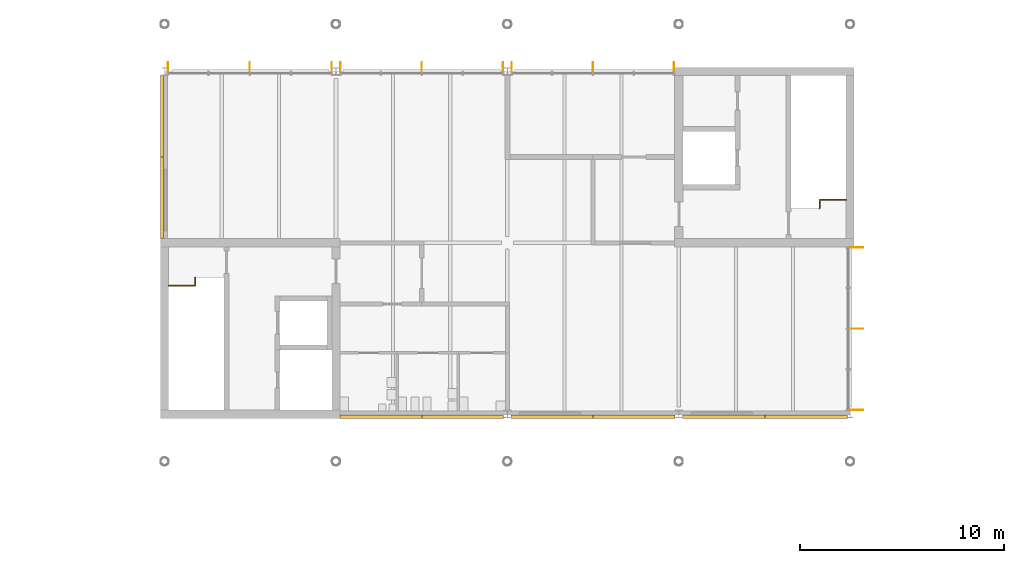
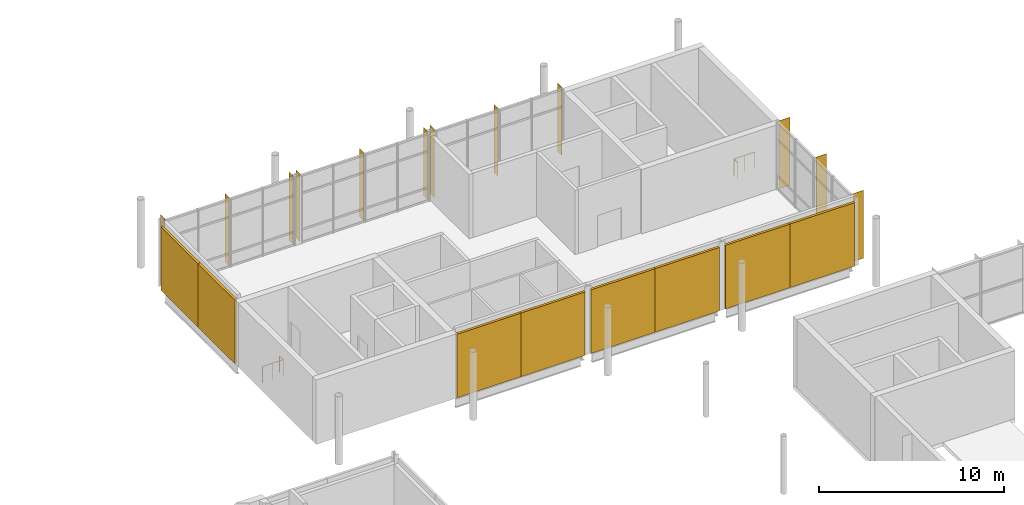
# One storey, part 86 of 89: 20 shading devices, 2 railings.
"""IFC4 building model written with IfcOpenShell, lengths in metres."""

from ifc_helpers import new_model, si_unit, direction, frame, origin, origin_2d, place, context, subcontext, project, spatial, rectangle, circle, extrude, material, layer, layer_set, type_object, element, save


model = new_model("IFC4")

# Units and contexts
model_context = context("Model", 3, precision=1e-05, world=origin(), true_north=direction((0.0, 1.0)))
body_context = subcontext(model_context, "Body", "Model", "MODEL_VIEW")
ifc_project = project(units=[si_unit("LENGTHUNIT", "METRE"), si_unit("AREAUNIT", "SQUARE_METRE"), si_unit("VOLUMEUNIT", "CUBIC_METRE"), si_unit("PLANEANGLEUNIT", "RADIAN"), si_unit("MASSUNIT", "GRAM", prefix="KILO")], contexts=[model_context])

# Site, building, storey
site_placement = place(None, origin())
site = spatial("IfcSite", under=ifc_project, at=site_placement, CompositionType="ELEMENT")
building_placement = place(site_placement, origin())
building = spatial("IfcBuilding", under=site, at=building_placement, Name="Hlaing Beacon Police Headquarters", CompositionType="ELEMENT")
storey_placement = place(building_placement, frame((0.0, 0.0, 9.89990234375)))
storey = spatial("IfcBuildingStorey", under=building, at=storey_placement, Name="L02", CompositionType="ELEMENT", Elevation=9.89990234375)

# Shading devices
ifc_material_1 = material(Name="Aluminium 6063-T5 anodised", Category="aluminium")
ifc_layer_1 = layer(ifc_material_1, 0.011962890625)
ifc_layer_set_1 = layer_set([ifc_layer_1], Name="Aluminium 6063-T5 anodised")
shading_device_type_1 = type_object("IfcShadingDeviceType", Name="Aluminium fin 12x450", PredefinedType="JALOUSIE", material=ifc_layer_set_1)
for number, where, z_axis, x_axis, name in (
    (1, (58.570068359375, 92.625, 0.0), (0.0, 0.0, 1.0), (-1.0, 0.0, 0.0), "Fin L02 N034.0"),
    (2, (54.5927734375, 92.625, 0.0), (0.0, 0.0, 1.0), (-1.0, 0.0, 0.0), "Fin L02 N034.2"),
    (3, (50.615478515625, 92.625, 0.0), (0.0, 0.0, 1.0), (-1.0, 0.0, 0.0), "Fin L02 N034.4"),
    (4, (50.1845703125, 92.625, 0.0), (0.0, 0.0, 1.0), (-1.0, 0.0, 0.0), "Fin L02 N035.0"),
    (5, (46.199951171875, 92.625, 0.0), (0.0, 0.0, 1.0), (-1.0, 0.0, 0.0), "Fin L02 N035.2"),
    (6, (42.21533203125, 92.625, 0.0), (0.0, 0.0, 1.0), (-1.0, 0.0, 0.0), "Fin L02 N035.4"),
    (7, (41.78466796875, 92.625, 0.0), (0.0, 0.0, 1.0), (-1.0, 0.0, 0.0), "Fin L02 N036.0"),
    (8, (37.771484375, 92.625, 0.0), (0.0, 0.0, 1.0), (-1.0, 0.0, 0.0), "Fin L02 N036.2"),
    (9, (33.75830078125, 92.625, 0.0), (0.0, 0.0, 1.0), (-1.0, 0.0, 0.0), "Fin L02 N036.4"),
):
    element("IfcShadingDevice", number, at=place(storey_placement, frame(where, z_axis=z_axis, x_axis=x_axis)), inside=storey, type_object=shading_device_type_1, Name=name, PredefinedType="JALOUSIE", context=body_context, shape_type="SweptSolid", body=[
        extrude(rectangle(XDim=0.011962890625, YDim=0.449951171875, at=origin_2d()), origin(), (0.0, 0.0, 1.0), 4.5),
    ])
ifc_material_2 = material(Name="Aluminium 6063-T5 anodised", Category="aluminium")
ifc_layer_2 = layer(ifc_material_2, 0.01611328125)
ifc_layer_set_2 = layer_set([ifc_layer_2], Name="Aluminium 6063-T5 anodised")
shading_device_type_2 = type_object("IfcShadingDeviceType", Name="Aluminium fin 16x650", PredefinedType="JALOUSIE", material=ifc_layer_set_2)
for number, where, z_axis, x_axis, name in (
    (10, (67.52490234375, 75.8115234375, 0.0), (0.0, 0.0, 1.0), (0.0, 1.0, 0.0), "Fin L02 E037.0"),
    (11, (67.52490234375, 79.790771484375, 0.0), (0.0, 0.0, 1.0), (0.0, 1.0, 0.0), "Fin L02 E037.2"),
    (12, (67.52490234375, 83.77001953125, 0.0), (0.0, 0.0, 1.0), (0.0, 1.0, 0.0), "Fin L02 E037.4"),
):
    element("IfcShadingDevice", number, at=place(storey_placement, frame(where, z_axis=z_axis, x_axis=x_axis)), inside=storey, type_object=shading_device_type_2, Name=name, PredefinedType="JALOUSIE", context=body_context, shape_type="SweptSolid", body=[
        extrude(rectangle(XDim=0.01611328125, YDim=0.64990234375, at=origin_2d()), origin(), (0.0, 0.0, 1.0), 4.5),
    ])
ifc_material_3 = material(Name="Perforated aluminium", Category="aluminium")
ifc_layer_3 = layer(ifc_material_3, 0.14990234375)
ifc_layer_set_3 = layer_set([ifc_layer_3], Name="Perforated aluminium")
shading_device_type_3 = type_object("IfcShadingDeviceType", Name="Perforated screen panel 150", PredefinedType="JALOUSIE", material=ifc_layer_set_3)
for number, where, z_axis, x_axis, name in (
    (13, (33.47509765625, 90.2138671875, 0.0), (0.0, 0.0, 1.0), (0.0, -1.0, 0.0), "Screen L02 W021"),
    (14, (33.47509765625, 86.20458984375, 0.0), (0.0, 0.0, 1.0), (0.0, -1.0, 0.0), "Screen L02 W022"),
):
    element("IfcShadingDevice", number, at=place(storey_placement, frame(where, z_axis=z_axis, x_axis=x_axis)), inside=storey, type_object=shading_device_type_3, Name=name, PredefinedType="JALOUSIE", context=body_context, shape_type="SweptSolid", body=[
        extrude(rectangle(XDim=4.00927734375, YDim=0.14990234375, at=origin_2d()), origin(), (0.0, 0.0, 1.0), 4.199951171875),
    ])
for number, where, z_axis, x_axis, name in (
    (15, (44.20361328125, 75.47509765625, 0.0), (0.0, 0.0, 1.0), (1.0, 0.0, 0.0), "Screen L02 S023"),
    (16, (48.2109375, 75.47509765625, 0.0), (0.0, 0.0, 1.0), (1.0, 0.0, 0.0), "Screen L02 S024"),
):
    element("IfcShadingDevice", number, at=place(storey_placement, frame(where, z_axis=z_axis, x_axis=x_axis)), inside=storey, type_object=shading_device_type_3, Name=name, PredefinedType="JALOUSIE", context=body_context, shape_type="SweptSolid", body=[
        extrude(rectangle(XDim=4.00732421875, YDim=0.14990234375, at=origin_2d()), origin(), (0.0, 0.0, 1.0), 4.199951171875),
    ])
for number, where, z_axis, x_axis, name in (
    (17, (52.5927734375, 75.47509765625, 0.0), (0.0, 0.0, 1.0), (1.0, 0.0, 0.0), "Screen L02 S025"),
    (18, (56.607421875, 75.47509765625, 0.0), (0.0, 0.0, 1.0), (1.0, 0.0, 0.0), "Screen L02 S026"),
):
    element("IfcShadingDevice", number, at=place(storey_placement, frame(where, z_axis=z_axis, x_axis=x_axis)), inside=storey, type_object=shading_device_type_3, Name=name, PredefinedType="JALOUSIE", context=body_context, shape_type="SweptSolid", body=[
        extrude(rectangle(XDim=4.0146484375, YDim=0.14990234375, at=origin_2d()), origin(), (0.0, 0.0, 1.0), 4.199951171875),
    ])
for number, where, z_axis, x_axis, name in (
    (19, (61.007080078125, 75.47509765625, 0.0), (0.0, 0.0, 1.0), (1.0, 0.0, 0.0), "Screen L02 S027"),
    (20, (65.050048828125, 75.47509765625, 0.0), (0.0, 0.0, 1.0), (1.0, 0.0, 0.0), "Screen L02 S028"),
):
    element("IfcShadingDevice", number, at=place(storey_placement, frame(where, z_axis=z_axis, x_axis=x_axis)), inside=storey, type_object=shading_device_type_3, Name=name, PredefinedType="JALOUSIE", context=body_context, shape_type="SweptSolid", body=[
        extrude(rectangle(XDim=4.043212890625, YDim=0.14990234375, at=origin_2d()), origin(), (0.0, 0.0, 1.0), 4.199951171875),
    ])

# Railings
ifc_material_4 = material(Name="Stainless steel", Category="steel")
railing_type = type_object("IfcRailingType", Name="Stair guard 1100", PredefinedType="GUARDRAIL", material=ifc_material_4)
railing_1_placement = place(storey_placement, frame((33.800048828125, 81.89990234375, 0.0)))
element("IfcRailing", 21, at=railing_1_placement, inside=storey, type_object=railing_type, Name="Guard ST-E", PredefinedType="GUARDRAIL", context=body_context, shape_type="SweptSolid", body=[
    extrude(circle(Radius=0.02392578125, at=origin_2d()), frame((0.0, 0.0, 1.076171875), z_axis=(1.0, 0.0, 0.0), x_axis=(0.0, 1.0, 0.0)), (0.0, 0.0, 1.0), 1.300048828125),
    extrude(circle(Radius=0.02392578125, at=origin_2d()), frame((1.300048828125, 0.0, 1.076171875), z_axis=(0.0, 1.0, 0.0), x_axis=(-1.0, 0.0, 0.0)), (0.0, 0.0, 1.0), 0.400146484375),
    extrude(circle(Radius=0.02099609375, at=origin_2d()), origin(), (0.0, 0.0, 1.0), 1.052001953125),
    extrude(circle(Radius=0.02099609375, at=origin_2d()), frame((0.64990234375, 0.0, 0.0)), (0.0, 0.0, 1.0), 1.052001953125),
    extrude(circle(Radius=0.02099609375, at=origin_2d()), frame((1.300048828125, 0.0, 0.0)), (0.0, 0.0, 1.0), 1.052001953125),
    extrude(circle(Radius=0.02099609375, at=origin_2d()), frame((1.300048828125, 0.400146484375, 0.0)), (0.0, 0.0, 1.0), 1.052001953125),
])
railing_2_placement = place(storey_placement, frame((67.0, 86.10009765625, 0.0)))
element("IfcRailing", 22, at=railing_2_placement, inside=storey, type_object=railing_type, Name="Guard ST-F", PredefinedType="GUARDRAIL", context=body_context, shape_type="SweptSolid", body=[
    extrude(circle(Radius=0.02392578125, at=origin_2d()), frame((0.0, 0.0, 1.076171875), z_axis=(-1.0, 0.0, 0.0), x_axis=(0.0, -1.0, 0.0)), (0.0, 0.0, 1.0), 1.300048828125),
    extrude(circle(Radius=0.02392578125, at=origin_2d()), frame((-1.300048828125, 0.0, 1.076171875), z_axis=(0.0, -1.0, 0.0), x_axis=(1.0, 0.0, 0.0)), (0.0, 0.0, 1.0), 0.400146484375),
    extrude(circle(Radius=0.02099609375, at=origin_2d()), origin(), (0.0, 0.0, 1.0), 1.052001953125),
    extrude(circle(Radius=0.02099609375, at=origin_2d()), frame((-0.64990234375, 0.0, 0.0)), (0.0, 0.0, 1.0), 1.052001953125),
    extrude(circle(Radius=0.02099609375, at=origin_2d()), frame((-1.300048828125, 0.0, 0.0)), (0.0, 0.0, 1.0), 1.052001953125),
    extrude(circle(Radius=0.02099609375, at=origin_2d()), frame((-1.300048828125, -0.400146484375, 0.0)), (0.0, 0.0, 1.0), 1.052001953125),
])

save(model, "model.ifc")
